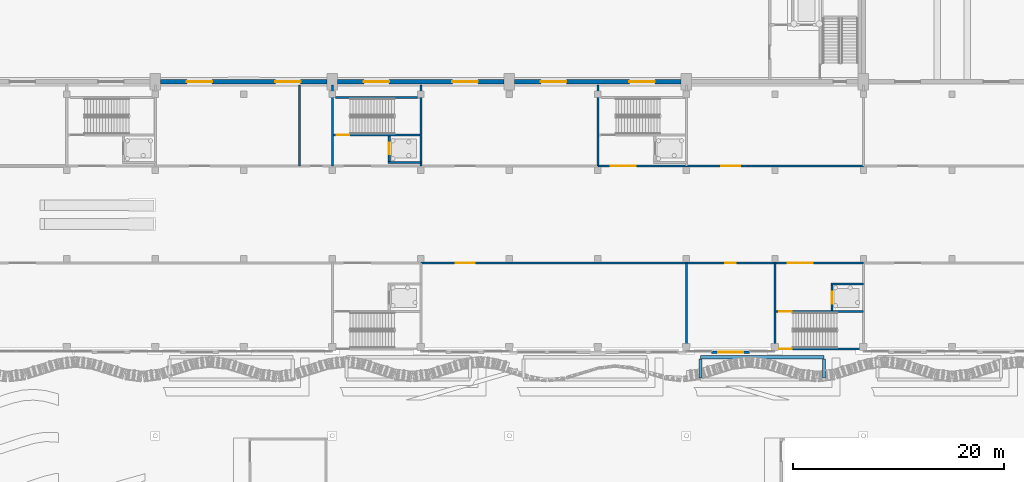
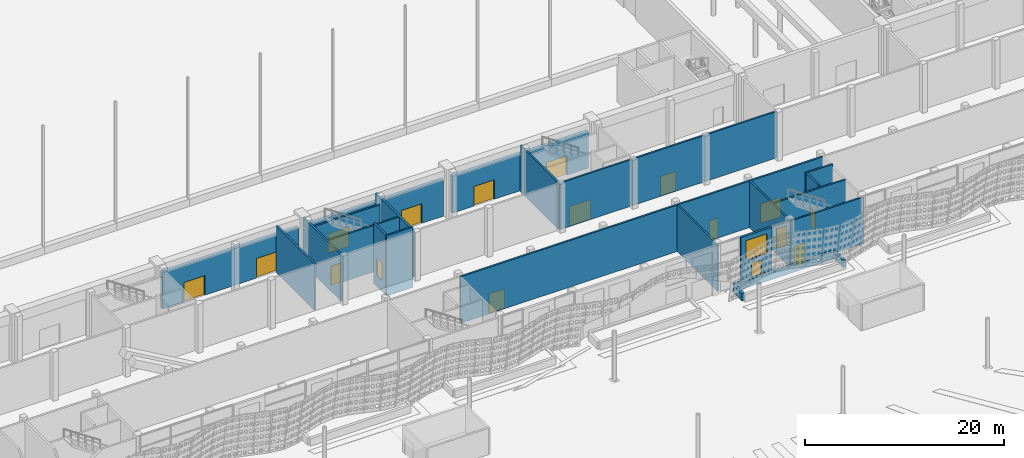
# One storey, part 106 of 210: 26 walls, 17 doors, 1 window, 18 openings.
"""IFC4 building model written with IfcOpenShell, lengths in metres."""

from ifc_helpers import new_model, si_unit, direction, frame, frame_2d, origin, place, context, subcontext, project, spatial, rectangle, extrude, material, layer, layer_set, type_object, element, fill, save


model = new_model("IFC4")

# Units and contexts
model_context = context("Model", 3, precision=1e-05, world=origin(), true_north=direction((0.0, 1.0)))
body_context = subcontext(model_context, "Body", "Model", "MODEL_VIEW")
ifc_project = project(units=[si_unit("LENGTHUNIT", "METRE"), si_unit("AREAUNIT", "SQUARE_METRE"), si_unit("VOLUMEUNIT", "CUBIC_METRE"), si_unit("PLANEANGLEUNIT", "RADIAN"), si_unit("MASSUNIT", "GRAM", prefix="KILO")], contexts=[model_context])

# Site, building, storey
site_placement = place(None, origin())
site = spatial("IfcSite", under=ifc_project, at=site_placement, CompositionType="ELEMENT")
building_placement = place(site_placement, origin())
building = spatial("IfcBuilding", under=site, at=building_placement, Name="Rain Tree Exposition and Congress Centre", CompositionType="ELEMENT")
storey_placement = place(building_placement, origin())
storey = spatial("IfcBuildingStorey", under=building, at=storey_placement, Name="L00", CompositionType="ELEMENT", Elevation=0.0)

# Wall, opening, door
ifc_material_1 = material(Name="Hollow blockwork partition", Category="masonry")
ifc_layer_1 = layer(ifc_material_1, 0.199951171875)
ifc_layer_set_1 = layer_set([ifc_layer_1], Name="Hollow blockwork partition")
wall_type_1 = type_object("IfcWallType", Name="Concourse blockwork partition 200", PredefinedType="PARTITIONING", material=ifc_layer_set_1)
wall_1_placement = place(storey_placement, frame((84.0, 83.60009765625, 0.0), z_axis=(0.0, 0.0, 1.0), x_axis=(1.0, 0.0, 0.0)))
wall_1 = element("IfcWall", 1, at=wall_1_placement, inside=storey, type_object=wall_type_1, Name="Concourse room front L00", PredefinedType="PARTITIONING", context=body_context, shape_type="SweptSolid", body=[
    extrude(rectangle(XDim=25.199951171875, YDim=0.199951171875, at=frame_2d((12.60009765625, 0.0))), origin(), (0.0, 0.0, 1.0), 5.699951171875),
])
opening_1_placement = place(wall_1_placement, frame((3.300048828125, 0.0, 0.0)))
opening_1 = element("IfcOpeningElement", 2, at=opening_1_placement, cuts=wall_1, Name="Opening DC024", PredefinedType="OPENING", context=body_context, shape_type="SweptSolid", body=[
    extrude(rectangle(XDim=1.800048828125, YDim=2.39990234375, at=frame_2d((0.89990234375, 1.199951171875))), frame((0.0, 0.10009765625, 0.0), z_axis=(0.0, -1.0, 0.0), x_axis=(1.0, 0.0, 0.0)), (0.0, 0.0, 1.0), 0.199951171875),
])
ifc_material_2 = material(Name="Aluminium framed glazed door", Category="aluminium")
door_type_1 = type_object("IfcDoorType", Name="Concourse double door 1800x2400", OperationType="DOUBLE_DOOR_DOUBLE_SWING", PredefinedType="DOOR", material=ifc_material_2)
door_1_placement = place(opening_1_placement, origin())
door_1 = element("IfcDoor", 3, at=door_1_placement, inside=storey, type_object=door_type_1, Name="Room door DC024", OperationType="DOUBLE_DOOR_DOUBLE_SWING", OverallHeight=2.39990234375, OverallWidth=1.800048828125, PredefinedType="DOOR", context=body_context, shape_type="SweptSolid", body=[
    extrude(rectangle(XDim=1.800048828125, YDim=2.39990234375, at=frame_2d((0.89990234375, 1.199951171875))), frame((0.0, 0.02490234375, 0.0), z_axis=(0.0, -1.0, 0.0), x_axis=(1.0, 0.0, 0.0)), (0.0, 0.0, 1.0), 0.050048828125),
])
fill(opening_1, door_1)

# Wall
wall_2_placement = place(storey_placement, frame((72.5, 100.5, 0.0), z_axis=(0.0, 0.0, 1.0), x_axis=(0.0, -1.0, 0.0)))
element("IfcWall", 4, at=wall_2_placement, inside=storey, type_object=wall_type_1, Name="Accessible WC partition", PredefinedType="PARTITIONING", context=body_context, shape_type="SweptSolid", body=[
    extrude(rectangle(XDim=7.699951171875, YDim=0.199951171875, at=frame_2d((3.85009765625, 0.0))), origin(), (0.0, 0.0, 1.0), 5.699951171875),
])

# Wall, opening, door
wall_3_placement = place(storey_placement, frame((109.199951171875, 92.800048828125, 0.0), z_axis=(0.0, 0.0, 1.0), x_axis=(1.0, 0.0, 0.0)))
wall_3 = element("IfcWall", 5, at=wall_3_placement, inside=storey, type_object=wall_type_1, Name="Concourse room front L00", PredefinedType="PARTITIONING", context=body_context, shape_type="SweptSolid", body=[
    extrude(rectangle(XDim=16.800048828125, YDim=0.199951171875, at=frame_2d((8.39990234375, 0.0))), origin(), (0.0, 0.0, 1.0), 5.699951171875),
])
opening_2_placement = place(wall_3_placement, frame((3.300048828125, 0.0, 0.0)))
opening_2 = element("IfcOpeningElement", 6, at=opening_2_placement, cuts=wall_3, Name="Opening DC062", PredefinedType="OPENING", context=body_context, shape_type="SweptSolid", body=[
    extrude(rectangle(XDim=1.800048828125, YDim=2.39990234375, at=frame_2d((0.89990234375, 1.199951171875))), frame((0.0, 0.10009765625, 0.0), z_axis=(0.0, -1.0, 0.0), x_axis=(1.0, 0.0, 0.0)), (0.0, 0.0, 1.0), 0.199951171875),
])
door_2_placement = place(opening_2_placement, origin())
door_2 = element("IfcDoor", 7, at=door_2_placement, inside=storey, type_object=door_type_1, Name="Room door DC062", OperationType="DOUBLE_DOOR_DOUBLE_SWING", OverallHeight=2.39990234375, OverallWidth=1.800048828125, PredefinedType="DOOR", context=body_context, shape_type="SweptSolid", body=[
    extrude(rectangle(XDim=1.800048828125, YDim=2.39990234375, at=frame_2d((0.89990234375, 1.199951171875))), frame((0.0, 0.02490234375, 0.0), z_axis=(0.0, -1.0, 0.0), x_axis=(1.0, 0.0, 0.0)), (0.0, 0.0, 1.0), 0.050048828125),
])
fill(opening_2, door_2)

# Wall, openings, window, door
ifc_material_3 = material(Name="Concrete C40/50", Category="concrete")
ifc_layer_2 = layer(ifc_material_3, 0.25)
ifc_layer_set_2 = layer_set([ifc_layer_2], Name="Concrete C40/50")
wall_type_2 = type_object("IfcWallType", Name="Concourse entrance infill wall 250", PredefinedType="SOLIDWALL", material=ifc_layer_set_2)
wall_4_placement = place(storey_placement, frame((111.60009765625, 75.125, 0.0), z_axis=(0.0, 0.0, 1.0), x_axis=(1.0, 0.0, 0.0)))
wall_4 = element("IfcWall", 8, at=wall_4_placement, inside=storey, type_object=wall_type_2, Name="Concourse entrance infill wall", PredefinedType="SOLIDWALL", context=body_context, shape_type="SweptSolid", body=[
    extrude(rectangle(XDim=3.599853515625, YDim=0.25, at=frame_2d((1.7998046875, 0.0))), origin(), (0.0, 0.0, 1.0), 6.0),
])
opening_3_placement = place(wall_4_placement, frame((1.199951171875, 0.0, 0.0)))
opening_3 = element("IfcOpeningElement", 9, at=opening_3_placement, cuts=wall_4, Name="Opening DC005", PredefinedType="OPENING", context=body_context, shape_type="SweptSolid", body=[
    extrude(rectangle(XDim=1.199951171875, YDim=2.39990234375, at=frame_2d((0.60009765625, 1.199951171875))), frame((0.0, 0.125, 0.0), z_axis=(0.0, -1.0, 0.0), x_axis=(1.0, 0.0, 0.0)), (0.0, 0.0, 1.0), 0.25),
])
opening_4_placement = place(wall_4_placement, frame((0.60009765625, 0.0, 3.0)))
opening_4 = element("IfcOpeningElement", 10, at=opening_4_placement, cuts=wall_4, Name="Opening WC116", PredefinedType="OPENING", context=body_context, shape_type="SweptSolid", body=[
    extrude(rectangle(XDim=2.39990234375, YDim=2.39990234375, at=frame_2d((1.199951171875, 1.199951171875))), frame((0.0, 0.125, 0.0), z_axis=(0.0, -1.0, 0.0), x_axis=(1.0, 0.0, 0.0)), (0.0, 0.0, 1.0), 0.25),
])
ifc_material_4 = material(Name="Aluminium framed glazing", Category="aluminium")
window_type = type_object("IfcWindowType", Name="Concourse fixed window 2400x2400", PartitioningType="SINGLE_PANEL", PredefinedType="WINDOW", material=ifc_material_4)
window_placement = place(opening_4_placement, origin())
window = element("IfcWindow", 11, at=window_placement, inside=storey, type_object=window_type, Name="Entrance transom window", OverallHeight=2.39990234375, OverallWidth=2.39990234375, PartitioningType="SINGLE_PANEL", PredefinedType="WINDOW", context=body_context, shape_type="SweptSolid", body=[
    extrude(rectangle(XDim=2.39990234375, YDim=2.39990234375, at=frame_2d((1.199951171875, 1.199951171875))), frame((0.0, 0.030029296875, 0.0), z_axis=(0.0, -1.0, 0.0), x_axis=(1.0, 0.0, 0.0)), (0.0, 0.0, 1.0), 0.06005859375),
])
fill(opening_4, window)
ifc_material_5 = material(Name="Aluminium framed glazed door", Category="aluminium")
door_type_2 = type_object("IfcDoorType", Name="Concourse single door 1200x2400", OperationType="NOTDEFINED", PredefinedType="DOOR", material=ifc_material_5)
door_3_placement = place(opening_3_placement, origin())
door_3 = element("IfcDoor", 12, at=door_3_placement, inside=storey, type_object=door_type_2, Name="Room entrance door DC005", OperationType="SINGLE_SWING_LEFT", OverallHeight=2.39990234375, OverallWidth=1.199951171875, PredefinedType="DOOR", context=body_context, shape_type="SweptSolid", body=[
    extrude(rectangle(XDim=1.199951171875, YDim=2.39990234375, at=frame_2d((0.60009765625, 1.199951171875))), frame((0.0, 0.02490234375, 0.0), z_axis=(0.0, -1.0, 0.0), x_axis=(1.0, 0.0, 0.0)), (0.0, 0.0, 1.0), 0.050048828125),
])
fill(opening_3, door_3)

# Wall
ifc_material_6 = material(Name="Concrete C40/50", Category="concrete")
ifc_layer_3 = layer(ifc_material_6, 0.199951171875)
ifc_layer_set_3 = layer_set([ifc_layer_3], Name="Concrete C40/50")
wall_type_3 = type_object("IfcWallType", Name="Concourse fire-rated partition 200", PredefinedType="PARTITIONING", material=ifc_layer_set_3)
wall_5_placement = place(storey_placement, frame((109.199951171875, 75.39990234375, 0.0), z_axis=(0.0, 0.0, 1.0), x_axis=(0.0, 1.0, 0.0)))
element("IfcWall", 13, at=wall_5_placement, inside=storey, type_object=wall_type_3, Name="Concourse partition L00", PredefinedType="PARTITIONING", context=body_context, shape_type="SweptSolid", body=[
    extrude(rectangle(XDim=8.2001953125, YDim=0.199951171875, at=frame_2d((4.10009765625, 0.0))), origin(), (0.0, 0.0, 1.0), 5.699951171875),
])

# Wall, opening, door
wall_6_placement = place(storey_placement, frame((109.199951171875, 83.60009765625, 0.0), z_axis=(0.0, 0.0, 1.0), x_axis=(1.0, 0.0, 0.0)))
wall_6 = element("IfcWall", 14, at=wall_6_placement, inside=storey, type_object=wall_type_3, Name="Concourse room front L00", PredefinedType="PARTITIONING", context=body_context, shape_type="SweptSolid", body=[
    extrude(rectangle(XDim=8.400146484375, YDim=0.199951171875, at=frame_2d((4.2001953125, 0.0))), origin(), (0.0, 0.0, 1.0), 5.699951171875),
])
opening_5_placement = place(wall_6_placement, frame((3.699951171875, 0.0, 0.0)))
opening_5 = element("IfcOpeningElement", 15, at=opening_5_placement, cuts=wall_6, Name="Opening DC025", PredefinedType="OPENING", context=body_context, shape_type="SweptSolid", body=[
    extrude(rectangle(XDim=1.0, YDim=2.39990234375, at=frame_2d((0.5, 1.199951171875))), frame((0.0, 0.10009765625, 0.0), z_axis=(0.0, -1.0, 0.0), x_axis=(1.0, 0.0, 0.0)), (0.0, 0.0, 1.0), 0.199951171875),
])
ifc_material_7 = material(Name="Aluminium framed glazed door", Category="aluminium")
door_type_3 = type_object("IfcDoorType", Name="Concourse single door 1000x2400", OperationType="NOTDEFINED", PredefinedType="DOOR", material=ifc_material_7)
door_4_placement = place(opening_5_placement, origin())
door_4 = element("IfcDoor", 16, at=door_4_placement, inside=storey, type_object=door_type_3, Name="Fire Command Room door DC025", OperationType="SINGLE_SWING_LEFT", OverallHeight=2.39990234375, OverallWidth=1.0, PredefinedType="DOOR", context=body_context, shape_type="SweptSolid", body=[
    extrude(rectangle(XDim=1.0, YDim=2.39990234375, at=frame_2d((0.5, 1.199951171875))), frame((0.0, 0.02490234375, 0.0), z_axis=(0.0, -1.0, 0.0), x_axis=(1.0, 0.0, 0.0)), (0.0, 0.0, 1.0), 0.050048828125),
])
fill(opening_5, door_4)

# Walls
ifc_material_8 = material(Name="Concrete C40/50", Category="concrete")
ifc_layer_4 = layer(ifc_material_8, 0.199951171875)
ifc_layer_set_4 = layer_set([ifc_layer_4], Name="Concrete C40/50")
wall_type_4 = type_object("IfcWallType", Name="Concourse shaft and core wall 200", PredefinedType="SOLIDWALL", material=ifc_layer_set_4)
wall_7_placement = place(storey_placement, frame((117.60009765625, 75.39990234375, 0.0), z_axis=(0.0, 0.0, 1.0), x_axis=(0.0, 1.0, 0.0)))
element("IfcWall", 17, at=wall_7_placement, inside=storey, type_object=wall_type_4, Name="Concourse core wall L00", PredefinedType="SOLIDWALL", context=body_context, shape_type="SweptSolid", body=[
    extrude(rectangle(XDim=8.2001953125, YDim=0.199951171875, at=frame_2d((4.10009765625, 0.0))), origin(), (0.0, 0.0, 1.0), 5.699951171875),
])
for number, where, z_axis, x_axis, name in (
    (18, (75.60009765625, 100.5, 0.0), (0.0, 0.0, 1.0), (0.0, -1.0, 0.0), "Concourse core wall L00"),
    (19, (84.0, 100.5, 0.0), (0.0, 0.0, 1.0), (0.0, -1.0, 0.0), "Concourse core wall L00"),
    (20, (100.800048828125, 100.5, 0.0), (0.0, 0.0, 1.0), (0.0, -1.0, 0.0), "Concourse core wall L00"),
):
    element("IfcWall", number, at=place(storey_placement, frame(where, z_axis=z_axis, x_axis=x_axis)), inside=storey, type_object=wall_type_4, Name=name, PredefinedType="SOLIDWALL", context=body_context, shape_type="SweptSolid", body=[
        extrude(rectangle(XDim=7.699951171875, YDim=0.199951171875, at=frame_2d((3.85009765625, 0.0))), origin(), (0.0, 0.0, 1.0), 5.699951171875),
    ])
wall_8_placement = place(storey_placement, frame((75.89990234375, 99.300048828125, 0.0), z_axis=(0.0, 0.0, 1.0), x_axis=(1.0, 0.0, 0.0)))
element("IfcWall", 21, at=wall_8_placement, inside=storey, type_object=wall_type_4, Name="Concourse stair wall L00", PredefinedType="SOLIDWALL", context=body_context, shape_type="SweptSolid", body=[
    extrude(rectangle(XDim=7.800048828125, YDim=0.199951171875, at=frame_2d((3.89990234375, 0.0))), origin(), (0.0, 0.0, 1.0), 5.10009765625),
])

# Wall, opening, door
wall_9_placement = place(storey_placement, frame((117.60009765625, 83.60009765625, 0.0), z_axis=(0.0, 0.0, 1.0), x_axis=(1.0, 0.0, 0.0)))
wall_9 = element("IfcWall", 22, at=wall_9_placement, inside=storey, type_object=wall_type_4, Name="Concourse lobby front L00", PredefinedType="SOLIDWALL", context=body_context, shape_type="SweptSolid", body=[
    extrude(rectangle(XDim=8.39990234375, YDim=0.199951171875, at=frame_2d((4.199951171875, 0.0))), origin(), (0.0, 0.0, 1.0), 5.699951171875),
])
opening_6_placement = place(wall_9_placement, frame((1.199951171875, 0.0, 0.0)))
opening_6 = element("IfcOpeningElement", 23, at=opening_6_placement, cuts=wall_9, Name="Opening DC034", PredefinedType="OPENING", context=body_context, shape_type="SweptSolid", body=[
    extrude(rectangle(XDim=2.39990234375, YDim=2.39990234375, at=frame_2d((1.199951171875, 1.199951171875))), frame((0.0, 0.10009765625, 0.0), z_axis=(0.0, -1.0, 0.0), x_axis=(1.0, 0.0, 0.0)), (0.0, 0.0, 1.0), 0.199951171875),
])
ifc_material_9 = material(Name="Aluminium framed glazed door", Category="aluminium")
door_type_4 = type_object("IfcDoorType", Name="Concourse double door 2400x2400", OperationType="DOUBLE_DOOR_DOUBLE_SWING", PredefinedType="DOOR", material=ifc_material_9)
door_5_placement = place(opening_6_placement, origin())
door_5 = element("IfcDoor", 24, at=door_5_placement, inside=storey, type_object=door_type_4, Name="Lobby exit door DC034", OperationType="DOUBLE_DOOR_DOUBLE_SWING", OverallHeight=2.39990234375, OverallWidth=2.39990234375, PredefinedType="DOOR", context=body_context, shape_type="SweptSolid", body=[
    extrude(rectangle(XDim=2.39990234375, YDim=2.39990234375, at=frame_2d((1.199951171875, 1.199951171875))), frame((0.0, 0.02490234375, 0.0), z_axis=(0.0, -1.0, 0.0), x_axis=(1.0, 0.0, 0.0)), (0.0, 0.0, 1.0), 0.050048828125),
])
fill(opening_6, door_5)

wall_10_placement = place(storey_placement, frame((100.800048828125, 92.800048828125, 0.0), z_axis=(0.0, 0.0, 1.0), x_axis=(1.0, 0.0, 0.0)))
wall_10 = element("IfcWall", 25, at=wall_10_placement, inside=storey, type_object=wall_type_4, Name="Concourse lobby front L00", PredefinedType="SOLIDWALL", context=body_context, shape_type="SweptSolid", body=[
    extrude(rectangle(XDim=8.39990234375, YDim=0.199951171875, at=frame_2d((4.199951171875, 0.0))), origin(), (0.0, 0.0, 1.0), 5.699951171875),
])
opening_7_placement = place(wall_10_placement, frame((1.199951171875, 0.0, 0.0)))
opening_7 = element("IfcOpeningElement", 26, at=opening_7_placement, cuts=wall_10, Name="Opening DC072", PredefinedType="OPENING", context=body_context, shape_type="SweptSolid", body=[
    extrude(rectangle(XDim=2.39990234375, YDim=2.39990234375, at=frame_2d((1.199951171875, 1.199951171875))), frame((0.0, 0.10009765625, 0.0), z_axis=(0.0, -1.0, 0.0), x_axis=(1.0, 0.0, 0.0)), (0.0, 0.0, 1.0), 0.199951171875),
])
door_6_placement = place(opening_7_placement, origin())
door_6 = element("IfcDoor", 27, at=door_6_placement, inside=storey, type_object=door_type_4, Name="Lobby exit door DC072", OperationType="DOUBLE_DOOR_DOUBLE_SWING", OverallHeight=2.39990234375, OverallWidth=2.39990234375, PredefinedType="DOOR", context=body_context, shape_type="SweptSolid", body=[
    extrude(rectangle(XDim=2.39990234375, YDim=2.39990234375, at=frame_2d((1.199951171875, 1.199951171875))), frame((0.0, 0.02490234375, 0.0), z_axis=(0.0, -1.0, 0.0), x_axis=(1.0, 0.0, 0.0)), (0.0, 0.0, 1.0), 0.050048828125),
])
fill(opening_7, door_6)

wall_11_placement = place(storey_placement, frame((117.60009765625, 75.449951171875, 0.0), z_axis=(0.0, 0.0, 1.0), x_axis=(1.0, 0.0, 0.0)))
wall_11 = element("IfcWall", 28, at=wall_11_placement, inside=storey, type_object=wall_type_4, Name="Concourse stair wall L00", PredefinedType="SOLIDWALL", context=body_context, shape_type="SweptSolid", body=[
    extrude(rectangle(XDim=8.39990234375, YDim=0.199951171875, at=frame_2d((4.199951171875, 0.0))), origin(), (0.0, 0.0, 1.0), 5.699951171875),
])
opening_8_placement = place(wall_11_placement, frame((0.39990234375, 0.0, 0.0)))
opening_8 = element("IfcOpeningElement", 29, at=opening_8_placement, cuts=wall_11, Name="Opening DC102", PredefinedType="OPENING", context=body_context, shape_type="SweptSolid", body=[
    extrude(rectangle(XDim=1.199951171875, YDim=2.39990234375, at=frame_2d((0.60009765625, 1.199951171875))), frame((0.0, 0.10009765625, 0.0), z_axis=(0.0, -1.0, 0.0), x_axis=(1.0, 0.0, 0.0)), (0.0, 0.0, 1.0), 0.199951171875),
])
door_7_placement = place(opening_8_placement, frame((1.199951171875, 0.0, 0.0), z_axis=(0.0, 0.0, 1.0), x_axis=(-1.0, 0.0, 0.0)))
door_7 = element("IfcDoor", 30, at=door_7_placement, inside=storey, type_object=door_type_2, Name="Stair exit door DC102", OperationType="SINGLE_SWING_RIGHT", OverallHeight=2.39990234375, OverallWidth=1.199951171875, PredefinedType="DOOR", context=body_context, shape_type="SweptSolid", body=[
    extrude(rectangle(XDim=1.199951171875, YDim=2.39990234375, at=frame_2d((0.60009765625, 1.199951171875))), frame((0.0, 0.02490234375, 0.0), z_axis=(0.0, -1.0, 0.0), x_axis=(1.0, 0.0, 0.0)), (0.0, 0.0, 1.0), 0.050048828125),
])
fill(opening_8, door_7)

wall_12_placement = place(storey_placement, frame((117.60009765625, 79.0, 0.0), z_axis=(0.0, 0.0, 1.0), x_axis=(1.0, 0.0, 0.0)))
wall_12 = element("IfcWall", 31, at=wall_12_placement, inside=storey, type_object=wall_type_4, Name="Concourse stair wall L00", PredefinedType="SOLIDWALL", context=body_context, shape_type="SweptSolid", body=[
    extrude(rectangle(XDim=8.39990234375, YDim=0.199951171875, at=frame_2d((4.199951171875, 0.0))), origin(), (0.0, 0.0, 1.0), 5.699951171875),
])
opening_9_placement = place(wall_12_placement, frame((0.39990234375, 0.0, 0.0)))
opening_9 = element("IfcOpeningElement", 32, at=opening_9_placement, cuts=wall_12, Name="Opening DC103", PredefinedType="OPENING", context=body_context, shape_type="SweptSolid", body=[
    extrude(rectangle(XDim=1.199951171875, YDim=2.39990234375, at=frame_2d((0.60009765625, 1.199951171875))), frame((0.0, 0.10009765625, 0.0), z_axis=(0.0, -1.0, 0.0), x_axis=(1.0, 0.0, 0.0)), (0.0, 0.0, 1.0), 0.199951171875),
])
door_8_placement = place(opening_9_placement, origin())
door_8 = element("IfcDoor", 33, at=door_8_placement, inside=storey, type_object=door_type_2, Name="Stair door DC103", OperationType="SINGLE_SWING_LEFT", OverallHeight=2.39990234375, OverallWidth=1.199951171875, PredefinedType="DOOR", context=body_context, shape_type="SweptSolid", body=[
    extrude(rectangle(XDim=1.199951171875, YDim=2.39990234375, at=frame_2d((0.60009765625, 1.199951171875))), frame((0.0, 0.02490234375, 0.0), z_axis=(0.0, -1.0, 0.0), x_axis=(1.0, 0.0, 0.0)), (0.0, 0.0, 1.0), 0.050048828125),
])
fill(opening_9, door_8)

wall_13_placement = place(storey_placement, frame((123.0, 79.10009765625, -1.39990234375), z_axis=(0.0, 0.0, 1.0), x_axis=(0.0, 1.0, 0.0)))
wall_13 = element("IfcWall", 34, at=wall_13_placement, inside=storey, type_object=wall_type_4, Name="Concourse lift shaft wall L00", PredefinedType="SOLIDWALL", context=body_context, shape_type="SweptSolid", body=[
    extrude(rectangle(XDim=2.599853515625, YDim=0.199951171875, at=frame_2d((1.2998046875, 0.0))), origin(), (0.0, 0.0, 1.0), 7.39990234375),
])
opening_10_placement = place(wall_13_placement, frame((0.64990234375, 0.0, 1.39990234375)))
opening_10 = element("IfcOpeningElement", 35, at=opening_10_placement, cuts=wall_13, Name="Opening DC105", PredefinedType="OPENING", context=body_context, shape_type="SweptSolid", body=[
    extrude(rectangle(XDim=1.10009765625, YDim=2.10009765625, at=frame_2d((0.550048828125, 1.050048828125))), frame((0.0, 0.10009765625, 0.0), z_axis=(0.0, -1.0, 0.0), x_axis=(1.0, 0.0, 0.0)), (0.0, 0.0, 1.0), 0.199951171875),
])
ifc_material_10 = material(Name="Stainless steel", Category="steel")
door_type_5 = type_object("IfcDoorType", Name="Lift landing door 1100x2100", OperationType="DOUBLE_DOOR_SLIDING", PredefinedType="DOOR", material=ifc_material_10)
door_9_placement = place(opening_10_placement, origin())
door_9 = element("IfcDoor", 36, at=door_9_placement, inside=storey, type_object=door_type_5, Name="Lift landing door DC105", OperationType="DOUBLE_DOOR_SLIDING", OverallHeight=2.10009765625, OverallWidth=1.10009765625, PredefinedType="DOOR", context=body_context, shape_type="SweptSolid", body=[
    extrude(rectangle(XDim=1.10009765625, YDim=2.10009765625, at=frame_2d((0.550048828125, 1.050048828125))), frame((0.0, 0.02490234375, 0.0), z_axis=(0.0, -1.0, 0.0), x_axis=(1.0, 0.0, 0.0)), (0.0, 0.0, 1.0), 0.050048828125),
])
fill(opening_10, door_9)

# Wall
wall_14_placement = place(storey_placement, frame((122.89990234375, 81.60009765625, -1.39990234375), z_axis=(0.0, 0.0, 1.0), x_axis=(1.0, 0.0, 0.0)))
element("IfcWall", 37, at=wall_14_placement, inside=storey, type_object=wall_type_4, Name="Concourse lift shaft wall L00", PredefinedType="SOLIDWALL", context=body_context, shape_type="SweptSolid", body=[
    extrude(rectangle(XDim=3.10009765625, YDim=0.199951171875, at=frame_2d((1.550048828125, 0.0))), origin(), (0.0, 0.0, 1.0), 7.39990234375),
])

# Wall, opening, door
wall_15_placement = place(storey_placement, frame((75.60009765625, 95.75, 0.0), z_axis=(0.0, 0.0, 1.0), x_axis=(1.0, 0.0, 0.0)))
wall_15 = element("IfcWall", 38, at=wall_15_placement, inside=storey, type_object=wall_type_4, Name="Concourse stair wall L00", PredefinedType="SOLIDWALL", context=body_context, shape_type="SweptSolid", body=[
    extrude(rectangle(XDim=8.39990234375, YDim=0.199951171875, at=frame_2d((4.199951171875, 0.0))), origin(), (0.0, 0.0, 1.0), 5.699951171875),
])
opening_11_placement = place(wall_15_placement, frame((0.39990234375, 0.0, 0.0)))
opening_11 = element("IfcOpeningElement", 39, at=opening_11_placement, cuts=wall_15, Name="Opening DC130", PredefinedType="OPENING", context=body_context, shape_type="SweptSolid", body=[
    extrude(rectangle(XDim=1.199951171875, YDim=2.39990234375, at=frame_2d((0.60009765625, 1.199951171875))), frame((0.0, 0.10009765625, 0.0), z_axis=(0.0, -1.0, 0.0), x_axis=(1.0, 0.0, 0.0)), (0.0, 0.0, 1.0), 0.199951171875),
])
door_10_placement = place(opening_11_placement, origin())
door_10 = element("IfcDoor", 40, at=door_10_placement, inside=storey, type_object=door_type_2, Name="Stair door DC130", OperationType="SINGLE_SWING_LEFT", OverallHeight=2.39990234375, OverallWidth=1.199951171875, PredefinedType="DOOR", context=body_context, shape_type="SweptSolid", body=[
    extrude(rectangle(XDim=1.199951171875, YDim=2.39990234375, at=frame_2d((0.60009765625, 1.199951171875))), frame((0.0, 0.02490234375, 0.0), z_axis=(0.0, -1.0, 0.0), x_axis=(1.0, 0.0, 0.0)), (0.0, 0.0, 1.0), 0.050048828125),
])
fill(opening_11, door_10)

wall_16_placement = place(storey_placement, frame((81.0, 93.050048828125, -1.39990234375), z_axis=(0.0, 0.0, 1.0), x_axis=(0.0, 1.0, 0.0)))
wall_16 = element("IfcWall", 41, at=wall_16_placement, inside=storey, type_object=wall_type_4, Name="Concourse lift shaft wall L00", PredefinedType="SOLIDWALL", context=body_context, shape_type="SweptSolid", body=[
    extrude(rectangle(XDim=2.599853515625, YDim=0.199951171875, at=frame_2d((1.2998046875, 0.0))), origin(), (0.0, 0.0, 1.0), 7.39990234375),
])
opening_12_placement = place(wall_16_placement, frame((0.85009765625, 0.0, 1.39990234375)))
opening_12 = element("IfcOpeningElement", 42, at=opening_12_placement, cuts=wall_16, Name="Opening DC132", PredefinedType="OPENING", context=body_context, shape_type="SweptSolid", body=[
    extrude(rectangle(XDim=1.10009765625, YDim=2.10009765625, at=frame_2d((0.550048828125, 1.050048828125))), frame((0.0, 0.10009765625, 0.0), z_axis=(0.0, -1.0, 0.0), x_axis=(1.0, 0.0, 0.0)), (0.0, 0.0, 1.0), 0.199951171875),
])
door_11_placement = place(opening_12_placement, origin())
door_11 = element("IfcDoor", 43, at=door_11_placement, inside=storey, type_object=door_type_5, Name="Lift landing door DC132", OperationType="DOUBLE_DOOR_SLIDING", OverallHeight=2.10009765625, OverallWidth=1.10009765625, PredefinedType="DOOR", context=body_context, shape_type="SweptSolid", body=[
    extrude(rectangle(XDim=1.10009765625, YDim=2.10009765625, at=frame_2d((0.550048828125, 1.050048828125))), frame((0.0, 0.02490234375, 0.0), z_axis=(0.0, -1.0, 0.0), x_axis=(1.0, 0.0, 0.0)), (0.0, 0.0, 1.0), 0.050048828125),
])
fill(opening_12, door_11)

# Wall
wall_17_placement = place(storey_placement, frame((80.89990234375, 93.14990234375, -1.39990234375), z_axis=(0.0, 0.0, 1.0), x_axis=(1.0, 0.0, 0.0)))
element("IfcWall", 44, at=wall_17_placement, inside=storey, type_object=wall_type_4, Name="Concourse lift shaft wall L00", PredefinedType="SOLIDWALL", context=body_context, shape_type="SweptSolid", body=[
    extrude(rectangle(XDim=3.10009765625, YDim=0.199951171875, at=frame_2d((1.550048828125, 0.0))), origin(), (0.0, 0.0, 1.0), 7.39990234375),
])

# Wall, openings, doors
ifc_material_11 = material(Name="Precast concrete C50/60", Category="concrete")
ifc_layer_5 = layer(ifc_material_11, 0.39990234375)
ifc_layer_set_5 = layer_set([ifc_layer_5], Name="Precast concrete C50/60")
wall_type_5 = type_object("IfcWallType", Name="Hall precast wall 400", PredefinedType="STANDARD", material=ifc_layer_set_5)
wall_18_placement = place(storey_placement, frame((59.300048828125, 100.800048828125, 0.0), z_axis=(0.0, 0.0, 1.0), x_axis=(1.0, 0.0, 0.0)))
wall_18 = element("IfcWall", 45, at=wall_18_placement, inside=storey, type_object=wall_type_5, Name="Cladding wall S4", PredefinedType="STANDARD", context=body_context, shape_type="SweptSolid", body=[
    extrude(rectangle(XDim=15.800048828125, YDim=0.39990234375, at=frame_2d((7.89990234375, 0.0))), origin(), (0.0, 0.0, 1.0), 4.5),
])
opening_13_placement = place(wall_18_placement, frame((2.5, 0.0, 0.0)))
opening_13 = element("IfcOpeningElement", 46, at=opening_13_placement, cuts=wall_18, Name="Opening DH106", PredefinedType="OPENING", context=body_context, shape_type="SweptSolid", body=[
    extrude(rectangle(XDim=2.39990234375, YDim=2.39990234375, at=frame_2d((1.199951171875, 1.199951171875))), frame((0.0, 0.199951171875, 0.0), z_axis=(0.0, -1.0, 0.0), x_axis=(1.0, 0.0, 0.0)), (0.0, 0.0, 1.0), 0.39990234375),
])
opening_14_placement = place(wall_18_placement, frame((10.89990234375, 0.0, 0.0)))
opening_14 = element("IfcOpeningElement", 47, at=opening_14_placement, cuts=wall_18, Name="Opening DH107", PredefinedType="OPENING", context=body_context, shape_type="SweptSolid", body=[
    extrude(rectangle(XDim=2.39990234375, YDim=2.39990234375, at=frame_2d((1.199951171875, 1.199951171875))), frame((0.0, 0.199951171875, 0.0), z_axis=(0.0, -1.0, 0.0), x_axis=(1.0, 0.0, 0.0)), (0.0, 0.0, 1.0), 0.39990234375),
])
ifc_material_12 = material(Name="Aluminium and glass", Category="aluminium")
door_type_6 = type_object("IfcDoorType", Name="Double glazed entrance door 2400x2400", OperationType="DOUBLE_DOOR_SINGLE_SWING", PredefinedType="DOOR", material=ifc_material_12)
door_12_placement = place(opening_13_placement, origin())
door_12 = element("IfcDoor", 48, at=door_12_placement, inside=storey, type_object=door_type_6, Name="Door DH106", OperationType="DOUBLE_DOOR_SINGLE_SWING", OverallHeight=2.39990234375, OverallWidth=2.39990234375, PredefinedType="DOOR", context=body_context, shape_type="SweptSolid", body=[
    extrude(rectangle(XDim=2.39990234375, YDim=2.39990234375, at=frame_2d((1.199951171875, 1.199951171875))), frame((0.0, 0.02490234375, 0.0), z_axis=(0.0, -1.0, 0.0), x_axis=(1.0, 0.0, 0.0)), (0.0, 0.0, 1.0), 0.050048828125),
])
fill(opening_13, door_12)
door_13_placement = place(opening_14_placement, origin())
door_13 = element("IfcDoor", 49, at=door_13_placement, inside=storey, type_object=door_type_6, Name="Door DH107", OperationType="DOUBLE_DOOR_SINGLE_SWING", OverallHeight=2.39990234375, OverallWidth=2.39990234375, PredefinedType="DOOR", context=body_context, shape_type="SweptSolid", body=[
    extrude(rectangle(XDim=2.39990234375, YDim=2.39990234375, at=frame_2d((1.199951171875, 1.199951171875))), frame((0.0, 0.02490234375, 0.0), z_axis=(0.0, -1.0, 0.0), x_axis=(1.0, 0.0, 0.0)), (0.0, 0.0, 1.0), 0.050048828125),
])
fill(opening_14, door_13)

wall_19_placement = place(storey_placement, frame((76.10009765625, 100.800048828125, 0.0), z_axis=(0.0, 0.0, 1.0), x_axis=(1.0, 0.0, 0.0)))
wall_19 = element("IfcWall", 50, at=wall_19_placement, inside=storey, type_object=wall_type_5, Name="Cladding wall S5", PredefinedType="STANDARD", context=body_context, shape_type="SweptSolid", body=[
    extrude(rectangle(XDim=15.7998046875, YDim=0.39990234375, at=frame_2d((7.89990234375, 0.0))), origin(), (0.0, 0.0, 1.0), 4.5),
])
opening_15_placement = place(wall_19_placement, frame((2.5, 0.0, 0.0)))
opening_15 = element("IfcOpeningElement", 51, at=opening_15_placement, cuts=wall_19, Name="Opening DH108", PredefinedType="OPENING", context=body_context, shape_type="SweptSolid", body=[
    extrude(rectangle(XDim=2.39990234375, YDim=2.39990234375, at=frame_2d((1.199951171875, 1.199951171875))), frame((0.0, 0.199951171875, 0.0), z_axis=(0.0, -1.0, 0.0), x_axis=(1.0, 0.0, 0.0)), (0.0, 0.0, 1.0), 0.39990234375),
])
opening_16_placement = place(wall_19_placement, frame((10.89990234375, 0.0, 0.0)))
opening_16 = element("IfcOpeningElement", 52, at=opening_16_placement, cuts=wall_19, Name="Opening DH109", PredefinedType="OPENING", context=body_context, shape_type="SweptSolid", body=[
    extrude(rectangle(XDim=2.39990234375, YDim=2.39990234375, at=frame_2d((1.199951171875, 1.199951171875))), frame((0.0, 0.199951171875, 0.0), z_axis=(0.0, -1.0, 0.0), x_axis=(1.0, 0.0, 0.0)), (0.0, 0.0, 1.0), 0.39990234375),
])
door_14_placement = place(opening_15_placement, origin())
door_14 = element("IfcDoor", 53, at=door_14_placement, inside=storey, type_object=door_type_6, Name="Door DH108", OperationType="DOUBLE_DOOR_SINGLE_SWING", OverallHeight=2.39990234375, OverallWidth=2.39990234375, PredefinedType="DOOR", context=body_context, shape_type="SweptSolid", body=[
    extrude(rectangle(XDim=2.39990234375, YDim=2.39990234375, at=frame_2d((1.199951171875, 1.199951171875))), frame((0.0, 0.02490234375, 0.0), z_axis=(0.0, -1.0, 0.0), x_axis=(1.0, 0.0, 0.0)), (0.0, 0.0, 1.0), 0.050048828125),
])
fill(opening_15, door_14)
door_15_placement = place(opening_16_placement, origin())
door_15 = element("IfcDoor", 54, at=door_15_placement, inside=storey, type_object=door_type_6, Name="Door DH109", OperationType="DOUBLE_DOOR_SINGLE_SWING", OverallHeight=2.39990234375, OverallWidth=2.39990234375, PredefinedType="DOOR", context=body_context, shape_type="SweptSolid", body=[
    extrude(rectangle(XDim=2.39990234375, YDim=2.39990234375, at=frame_2d((1.199951171875, 1.199951171875))), frame((0.0, 0.02490234375, 0.0), z_axis=(0.0, -1.0, 0.0), x_axis=(1.0, 0.0, 0.0)), (0.0, 0.0, 1.0), 0.050048828125),
])
fill(opening_16, door_15)

wall_20_placement = place(storey_placement, frame((92.89990234375, 100.800048828125, 0.0), z_axis=(0.0, 0.0, 1.0), x_axis=(1.0, 0.0, 0.0)))
wall_20 = element("IfcWall", 55, at=wall_20_placement, inside=storey, type_object=wall_type_5, Name="Cladding wall S6", PredefinedType="STANDARD", context=body_context, shape_type="SweptSolid", body=[
    extrude(rectangle(XDim=15.800048828125, YDim=0.39990234375, at=frame_2d((7.89990234375, 0.0))), origin(), (0.0, 0.0, 1.0), 4.5),
])
opening_17_placement = place(wall_20_placement, frame((2.5, 0.0, 0.0)))
opening_17 = element("IfcOpeningElement", 56, at=opening_17_placement, cuts=wall_20, Name="Opening DH110", PredefinedType="OPENING", context=body_context, shape_type="SweptSolid", body=[
    extrude(rectangle(XDim=2.39990234375, YDim=2.39990234375, at=frame_2d((1.199951171875, 1.199951171875))), frame((0.0, 0.199951171875, 0.0), z_axis=(0.0, -1.0, 0.0), x_axis=(1.0, 0.0, 0.0)), (0.0, 0.0, 1.0), 0.39990234375),
])
opening_18_placement = place(wall_20_placement, frame((10.89990234375, 0.0, 0.0)))
opening_18 = element("IfcOpeningElement", 57, at=opening_18_placement, cuts=wall_20, Name="Opening DH111", PredefinedType="OPENING", context=body_context, shape_type="SweptSolid", body=[
    extrude(rectangle(XDim=2.39990234375, YDim=2.39990234375, at=frame_2d((1.199951171875, 1.199951171875))), frame((0.0, 0.199951171875, 0.0), z_axis=(0.0, -1.0, 0.0), x_axis=(1.0, 0.0, 0.0)), (0.0, 0.0, 1.0), 0.39990234375),
])
door_16_placement = place(opening_17_placement, origin())
door_16 = element("IfcDoor", 58, at=door_16_placement, inside=storey, type_object=door_type_6, Name="Door DH110", OperationType="DOUBLE_DOOR_SINGLE_SWING", OverallHeight=2.39990234375, OverallWidth=2.39990234375, PredefinedType="DOOR", context=body_context, shape_type="SweptSolid", body=[
    extrude(rectangle(XDim=2.39990234375, YDim=2.39990234375, at=frame_2d((1.199951171875, 1.199951171875))), frame((0.0, 0.02490234375, 0.0), z_axis=(0.0, -1.0, 0.0), x_axis=(1.0, 0.0, 0.0)), (0.0, 0.0, 1.0), 0.050048828125),
])
fill(opening_17, door_16)
door_17_placement = place(opening_18_placement, origin())
door_17 = element("IfcDoor", 59, at=door_17_placement, inside=storey, type_object=door_type_6, Name="Door DH111", OperationType="DOUBLE_DOOR_SINGLE_SWING", OverallHeight=2.39990234375, OverallWidth=2.39990234375, PredefinedType="DOOR", context=body_context, shape_type="SweptSolid", body=[
    extrude(rectangle(XDim=2.39990234375, YDim=2.39990234375, at=frame_2d((1.199951171875, 1.199951171875))), frame((0.0, 0.02490234375, 0.0), z_axis=(0.0, -1.0, 0.0), x_axis=(1.0, 0.0, 0.0)), (0.0, 0.0, 1.0), 0.050048828125),
])
fill(opening_18, door_17)

# Walls
ifc_material_13 = material(Name="Concrete C40/50", Category="concrete")
ifc_layer_6 = layer(ifc_material_13, 0.300048828125)
ifc_layer_set_6 = layer_set([ifc_layer_6], Name="Concrete C40/50")
wall_type_6 = type_object("IfcWallType", Name="Precast planter wall 300", PredefinedType="SOLIDWALL", material=ifc_layer_set_6)
wall_21_placement = place(storey_placement, frame((110.550048828125, 74.64990234375, 0.0), z_axis=(0.0, 0.0, 1.0), x_axis=(1.0, 0.0, 0.0)))
element("IfcWall", 60, at=wall_21_placement, inside=storey, type_object=wall_type_6, Name="Forecourt planter wall", PredefinedType="SOLIDWALL", context=body_context, shape_type="SweptSolid", body=[
    extrude(rectangle(XDim=11.699951171875, YDim=0.300048828125, at=frame_2d((5.85009765625, 0.0))), origin(), (0.0, 0.0, 1.0), 0.89990234375),
])
for number, where, z_axis, x_axis, name in (
    (61, (110.550048828125, 72.699951171875, 0.0), (0.0, 0.0, 1.0), (0.0, 1.0, 0.0), "Forecourt planter wall"),
    (62, (122.25, 72.699951171875, 0.0), (0.0, 0.0, 1.0), (0.0, 1.0, 0.0), "Forecourt planter wall"),
):
    element("IfcWall", number, at=place(storey_placement, frame(where, z_axis=z_axis, x_axis=x_axis)), inside=storey, type_object=wall_type_6, Name=name, PredefinedType="SOLIDWALL", context=body_context, shape_type="SweptSolid", body=[
        extrude(rectangle(XDim=1.800048828125, YDim=0.300048828125, at=frame_2d((0.89990234375, 0.0))), origin(), (0.0, 0.0, 1.0), 0.89990234375),
    ])

save(model, "model.ifc")
